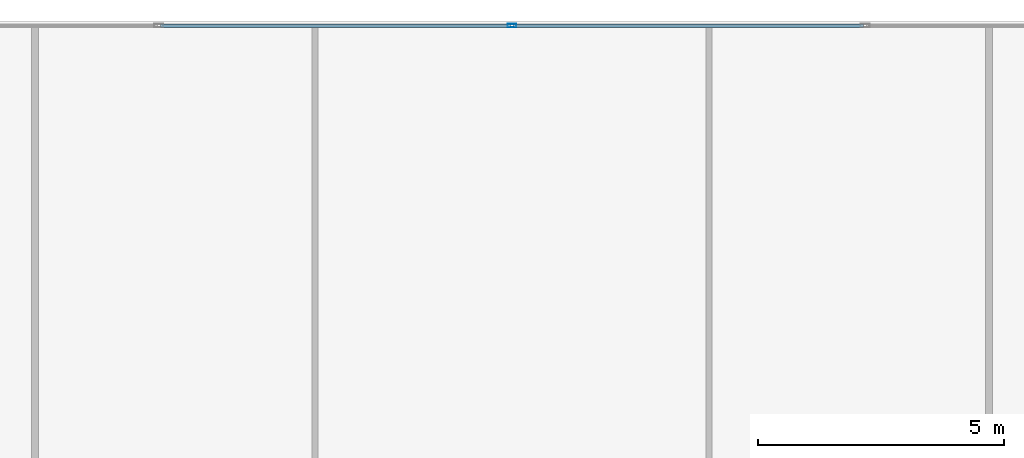
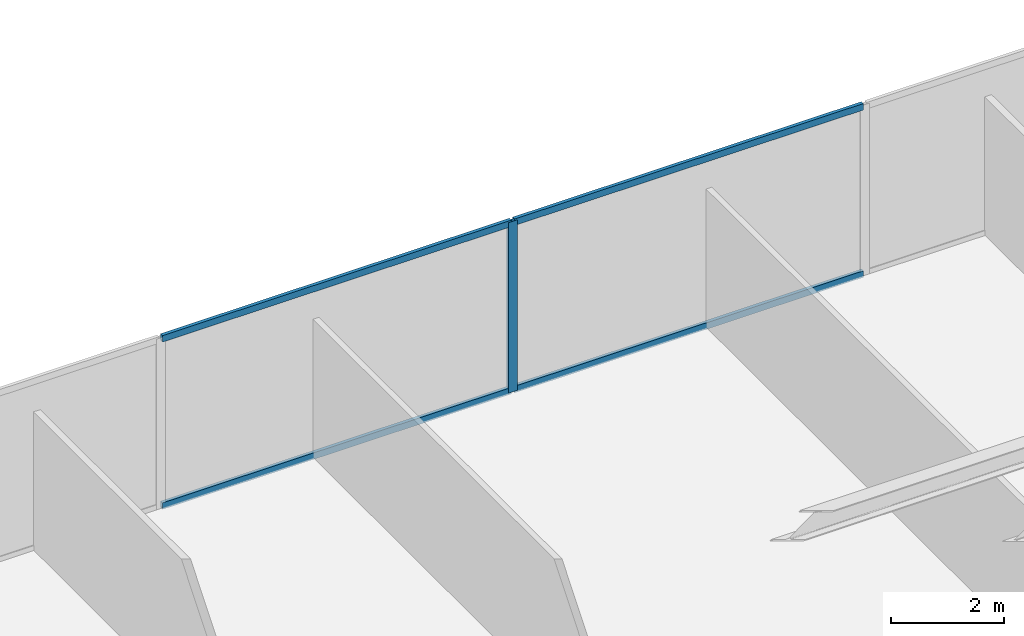
# One storey, part 20 of 28: 5 members, 1 element without a shape of its own.
"""IFC4 building model written with IfcOpenShell, lengths in metres."""

from ifc_helpers import new_model, si_unit, direction, frame, origin, origin_2d, place, context, subcontext, project, spatial, hollow_rectangle, extrude, source, transform, mapped, material, material_profile, profile_set, type_object, type_shapes, element, aggregate, save


model = new_model("IFC4")

# Units and contexts
model_context = context("Model", 3, precision=1e-05, world=origin(), true_north=direction((0.0, 1.0)))
body_context = subcontext(model_context, "Body", "Model", "MODEL_VIEW")
ifc_project = project(units=[si_unit("LENGTHUNIT", "METRE"), si_unit("AREAUNIT", "SQUARE_METRE"), si_unit("VOLUMEUNIT", "CUBIC_METRE"), si_unit("PLANEANGLEUNIT", "RADIAN"), si_unit("MASSUNIT", "GRAM", prefix="KILO")], contexts=[model_context])

# Site, building, storey
site_placement = place(None, origin())
site = spatial("IfcSite", under=ifc_project, at=site_placement, CompositionType="ELEMENT")
building_placement = place(site_placement, origin())
building = spatial("IfcBuilding", under=site, at=building_placement, Name="Krantzveldt Concourse Tower", CompositionType="ELEMENT")
storey_placement = place(building_placement, frame((0.0, 0.0, 32.89990234375)))
storey = spatial("IfcBuildingStorey", under=building, at=storey_placement, Name="L07", CompositionType="ELEMENT", Elevation=32.89990234375)

# Curtain wall, members
ifc_material = material(Name="Anodised aluminium 6063-T6", Category="aluminium")
curtain_wall_type = type_object("IfcCurtainWallType", Name="CW2", PredefinedType="USERDEFINED", material=ifc_material)
curtain_wall_placement = place(storey_placement, origin())
curtain_wall = element("IfcCurtainWall", 1, at=curtain_wall_placement, inside=storey, type_object=curtain_wall_type, Name="CW-L07-F10", ObjectType="UNITISED CURTAIN WALL", PredefinedType="USERDEFINED")
ifc_material_profile_1 = material_profile(ifc_material, hollow_rectangle(XDim=0.070068359375, YDim=0.139892578125, WallThickness=0.0048828125, at=origin_2d()), Name="Anodised aluminium 6063-T6", Category="aluminium")
ifc_profile_set_1 = profile_set([ifc_material_profile_1], Name="Anodised aluminium 6063-T6 - ALU-TRAN 140x70x5")
member_type_1 = type_object("IfcMemberType", Name="CW-TRN-150", PredefinedType="USERDEFINED", material=ifc_profile_set_1)
shared_shape_1 = source(origin(), body_context, "Body", "SweptSolid", [
    extrude(hollow_rectangle(XDim=0.070068359375, YDim=0.139892578125, WallThickness=0.0048828125, at=origin_2d()), origin(), (0.0, 0.0, 1.0), 7.0966796875),
])
type_shapes(member_type_1, [shared_shape_1])
member_1_placement = place(storey_placement, frame((43.131591796875, 51.610107421875, 0.03515625), z_axis=(-1.0, 0.0, 0.0), x_axis=(0.0, -1.0, 0.0)))
member_1 = element("IfcMember", 2, at=member_1_placement, type_object=member_type_1, Name="CW-Z12 transom 3.1", ObjectType="TRANSOM", PredefinedType="USERDEFINED", context=body_context, shape_type="MappedRepresentation", body=[
    mapped(shared_shape_1, transform((0.0, 0.0, 0.0), x_axis=(1.0, 0.0, 0.0), y_axis=(0.0, 1.0, 0.0), z_axis=(0.0, 0.0, 1.0), scale=1.0)),
])
member_2_placement = place(storey_placement, frame((43.131591796875, 51.610107421875, 3.635009765625), z_axis=(-1.0, 0.0, 0.0), x_axis=(0.0, -1.0, 0.0)))
member_2 = element("IfcMember", 3, at=member_2_placement, type_object=member_type_1, Name="CW-Z12 transom 3.2", ObjectType="TRANSOM", PredefinedType="USERDEFINED", context=body_context, shape_type="MappedRepresentation", body=[
    mapped(shared_shape_1, transform((0.0, 0.0, 0.0), x_axis=(1.0, 0.0, 0.0), y_axis=(0.0, 1.0, 0.0), z_axis=(0.0, 0.0, 1.0), scale=1.0)),
])
member_3_placement = place(storey_placement, frame((35.965087890625, 51.610107421875, 0.03515625), z_axis=(-1.0, 0.0, 0.0), x_axis=(0.0, -1.0, 0.0)))
member_3 = element("IfcMember", 4, at=member_3_placement, type_object=member_type_1, Name="CW-Z12 transom 4.1", ObjectType="TRANSOM", PredefinedType="USERDEFINED", context=body_context, shape_type="MappedRepresentation", body=[
    mapped(shared_shape_1, transform((0.0, 0.0, 0.0), x_axis=(1.0, 0.0, 0.0), y_axis=(0.0, 1.0, 0.0), z_axis=(0.0, 0.0, 1.0), scale=1.0)),
])
member_4_placement = place(storey_placement, frame((35.965087890625, 51.610107421875, 3.635009765625), z_axis=(-1.0, 0.0, 0.0), x_axis=(0.0, -1.0, 0.0)))
member_4 = element("IfcMember", 5, at=member_4_placement, type_object=member_type_1, Name="CW-Z12 transom 4.2", ObjectType="TRANSOM", PredefinedType="USERDEFINED", context=body_context, shape_type="MappedRepresentation", body=[
    mapped(shared_shape_1, transform((0.0, 0.0, 0.0), x_axis=(1.0, 0.0, 0.0), y_axis=(0.0, 1.0, 0.0), z_axis=(0.0, 0.0, 1.0), scale=1.0)),
])
ifc_material_profile_2 = material_profile(ifc_material, hollow_rectangle(XDim=0.070068359375, YDim=0.179931640625, WallThickness=0.0048828125, at=origin_2d()), Name="Anodised aluminium 6063-T6", Category="aluminium")
ifc_profile_set_2 = profile_set([ifc_material_profile_2], Name="Anodised aluminium 6063-T6 - ALU-MULL 180x70x5")
member_type_2 = type_object("IfcMemberType", Name="CW-MUL-180", PredefinedType="MULLION", material=ifc_profile_set_2)
shared_shape_2 = source(origin(), body_context, "Body", "SweptSolid", [
    extrude(hollow_rectangle(XDim=0.070068359375, YDim=0.179931640625, WallThickness=0.0048828125, at=origin_2d()), origin(), (0.0, 0.0, 1.0), 3.670166015625),
])
type_shapes(member_type_2, [shared_shape_2])
member_5_placement = place(storey_placement, frame((36.0, 51.610107421875, 0.0), z_axis=(0.0, 0.0, 1.0), x_axis=(0.0, -1.0, 0.0)))
member_5 = element("IfcMember", 6, at=member_5_placement, type_object=member_type_2, Name="CW-Z12 mullion 4", PredefinedType="MULLION", context=body_context, shape_type="MappedRepresentation", body=[
    mapped(shared_shape_2, transform((0.0, 0.0, 0.0), x_axis=(1.0, 0.0, 0.0), y_axis=(0.0, 1.0, 0.0), z_axis=(0.0, 0.0, 1.0), scale=1.0)),
])
aggregate(curtain_wall, [member_5, member_1, member_2, member_3, member_4])

save(model, "model.ifc")
